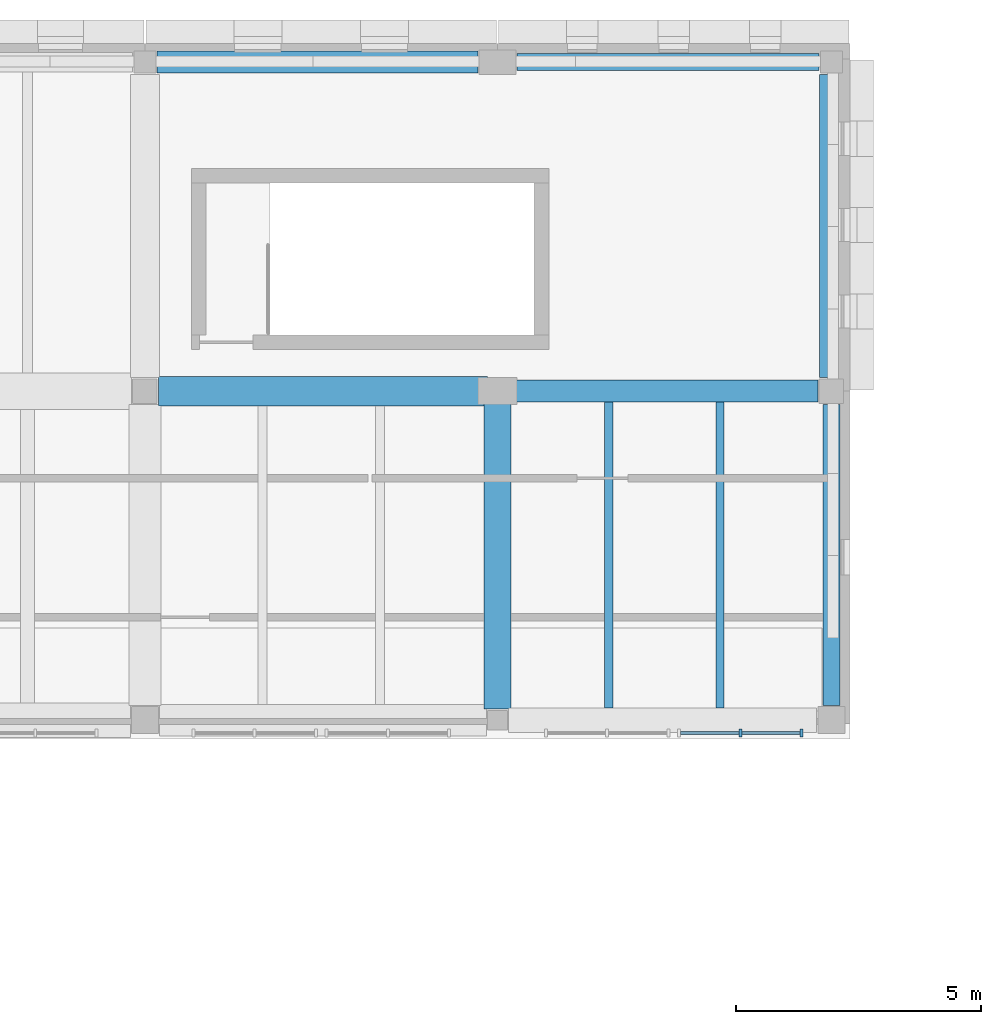
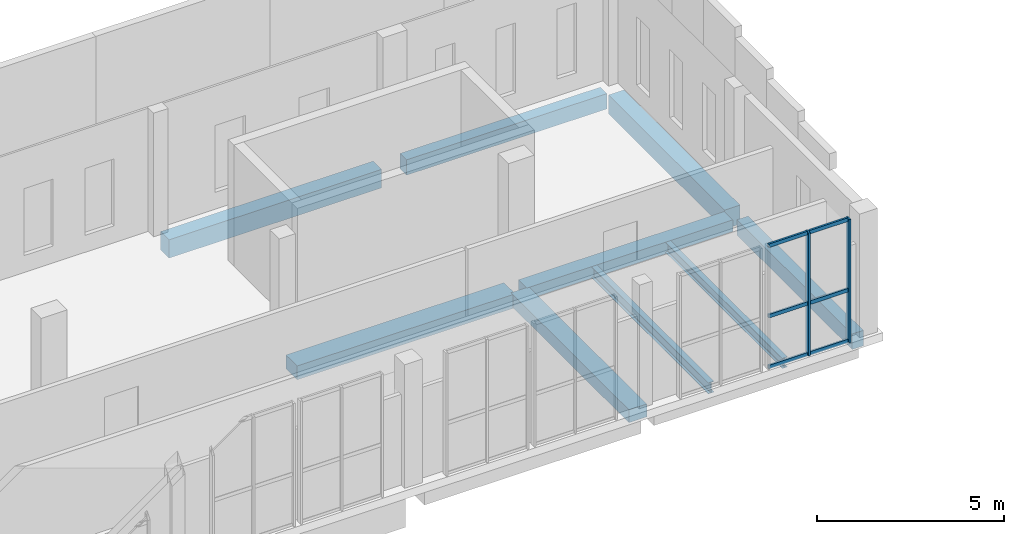
# One storey, part 13 of 34: 9 beams, 8 members, 1 element without a shape of its own.
"""IFC4 building model written with IfcOpenShell, lengths in metres."""

from ifc_helpers import new_model, si_unit, direction, frame, origin, origin_2d, place, context, subcontext, project, spatial, rectangle, i_section, extrude, material, layer, layer_set, material_profile, profile_set, type_object, element, aggregate, save


model = new_model("IFC4")

# Units and contexts
model_context = context("Model", 3, precision=1e-05, world=origin(), true_north=direction((0.0, 1.0)))
body_context = subcontext(model_context, "Body", "Model", "MODEL_VIEW")
ifc_project = project(units=[si_unit("LENGTHUNIT", "METRE"), si_unit("AREAUNIT", "SQUARE_METRE"), si_unit("VOLUMEUNIT", "CUBIC_METRE"), si_unit("PLANEANGLEUNIT", "RADIAN"), si_unit("MASSUNIT", "GRAM", prefix="KILO")], contexts=[model_context])

# Site, building, storey
site_placement = place(None, origin())
site = spatial("IfcSite", under=ifc_project, at=site_placement, CompositionType="ELEMENT")
building_placement = place(site_placement, origin())
building = spatial("IfcBuilding", under=site, at=building_placement, Name="Vardoun Plaza Health Centre", CompositionType="ELEMENT")
storey_placement = place(building_placement, frame((0.0, 0.0, 12.89990234375)))
storey = spatial("IfcBuildingStorey", under=building, at=storey_placement, Name="L03", CompositionType="ELEMENT", Elevation=12.89990234375)

# Beams
ifc_material_1 = material(Name="Concrete C35/45", Category="concrete")
ifc_material_profile_1 = material_profile(ifc_material_1, rectangle(XDim=0.35009765625, YDim=0.5, at=origin_2d()), Name="RC-BM 350x500")
ifc_profile_set_1 = profile_set([ifc_material_profile_1], Name="Concrete C35/45")
beam_type_1 = type_object("IfcBeamType", Name="B-08", PredefinedType="SPANDREL", material=ifc_profile_set_1)
beam_1_placement = place(storey_placement, frame((40.900146484375, 114.919921875, -0.514892578125), z_axis=(1.0, 0.0, 0.0), x_axis=(0.0, 1.0, 0.0)))
element("IfcBeam", 1, at=beam_1_placement, inside=storey, type_object=beam_type_1, Name="V3 L03 Beam B-V3-L03-X24", PredefinedType="SPANDREL", context=body_context, shape_type="SweptSolid", body=[
    extrude(rectangle(XDim=0.35009765625, YDim=0.5, at=origin_2d()), origin(), (0.0, 0.0, 1.0), 6.169921875),
])
beam_2_placement = place(storey_placement, frame((47.320068359375, 101.780029296875, -0.514892578125), z_axis=(0.0, 1.0, 0.0), x_axis=(-1.0, 0.0, 0.0)))
element("IfcBeam", 2, at=beam_2_placement, inside=storey, type_object=beam_type_1, Name="V3 L03 Beam B-V3-L03-Y44", PredefinedType="SPANDREL", context=body_context, shape_type="SweptSolid", body=[
    extrude(rectangle(XDim=0.35009765625, YDim=0.5, at=origin_2d()), origin(), (0.0, 0.0, 1.0), 6.14501953125),
])
ifc_material_2 = material(Name="Concrete C35/45", Category="concrete")
ifc_material_profile_2 = material_profile(ifc_material_2, rectangle(XDim=0.449951171875, YDim=0.3798828125, at=origin_2d()), Name="RC-BM 450x380")
ifc_profile_set_2 = profile_set([ifc_material_profile_2], Name="Concrete C35/45")
beam_type_2 = type_object("IfcBeamType", Name="B-01", PredefinedType="BEAM", material=ifc_profile_set_2)
beam_3_placement = place(storey_placement, frame((40.699951171875, 108.199951171875, -0.454833984375), z_axis=(1.0, 0.0, 0.0), x_axis=(0.0, 1.0, 0.0)))
element("IfcBeam", 3, at=beam_3_placement, inside=storey, type_object=beam_type_2, Name="V3 L03 Beam B-V3-L03-X23", PredefinedType="BEAM", context=body_context, shape_type="SweptSolid", body=[
    extrude(rectangle(XDim=0.449951171875, YDim=0.3798828125, at=origin_2d()), origin(), (0.0, 0.0, 1.0), 6.344970703125),
])
ifc_material_3 = material(Name="Concrete C35/45", Category="concrete")
ifc_material_profile_3 = material_profile(ifc_material_3, rectangle(XDim=0.449951171875, YDim=0.60009765625, at=origin_2d()), Name="RC-BM 450x600")
ifc_profile_set_3 = profile_set([ifc_material_profile_3], Name="Concrete C35/45")
beam_type_3 = type_object("IfcBeamType", Name="B-11", PredefinedType="SPANDREL", material=ifc_profile_set_3)
beam_4_placement = place(storey_placement, frame((33.550048828125, 114.919921875, -0.56494140625), z_axis=(1.0, 0.0, 0.0), x_axis=(0.0, 1.0, 0.0)))
element("IfcBeam", 4, at=beam_4_placement, inside=storey, type_object=beam_type_3, Name="V3 L03 Beam B-V3-L03-X21", PredefinedType="SPANDREL", context=body_context, shape_type="SweptSolid", body=[
    extrude(rectangle(XDim=0.449951171875, YDim=0.60009765625, at=origin_2d()), origin(), (0.0, 0.0, 1.0), 6.550048828125),
])
ifc_material_4 = material(Name="Concrete C35/45", Category="concrete")
ifc_material_profile_4 = material_profile(ifc_material_4, rectangle(XDim=0.47998046875, YDim=0.6201171875, at=origin_2d()), Name="RC-BM 480x620")
ifc_profile_set_4 = profile_set([ifc_material_profile_4], Name="Concrete C35/45")
beam_type_4 = type_object("IfcBeamType", Name="B-12", PredefinedType="SPANDREL", material=ifc_profile_set_4)
beam_5_placement = place(storey_placement, frame((47.320068359375, 108.47509765625, -0.574951171875), z_axis=(0.0, 1.0, 0.0), x_axis=(-1.0, 0.0, 0.0)))
element("IfcBeam", 5, at=beam_5_placement, inside=storey, type_object=beam_type_4, Name="V3 L03 Beam B-V3-L03-Y45", PredefinedType="SPANDREL", context=body_context, shape_type="SweptSolid", body=[
    extrude(rectangle(XDim=0.47998046875, YDim=0.6201171875, at=origin_2d()), origin(), (0.0, 0.0, 1.0), 6.19482421875),
])
ifc_material_5 = material(Name="Concrete C35/45", Category="concrete")
ifc_material_profile_5 = material_profile(ifc_material_5, rectangle(XDim=0.550048828125, YDim=0.419921875, at=origin_2d()), Name="RC-BM 550x420")
ifc_profile_set_5 = profile_set([ifc_material_profile_5], Name="Concrete C35/45")
beam_type_5 = type_object("IfcBeamType", Name="B-03", PredefinedType="BEAM", material=ifc_profile_set_5)
beam_6_placement = place(storey_placement, frame((40.5, 101.705078125, -0.474853515625), z_axis=(0.0, 1.0, 0.0), x_axis=(-1.0, 0.0, 0.0)))
element("IfcBeam", 6, at=beam_6_placement, inside=storey, type_object=beam_type_5, Name="V3 L03 Beam B-V3-L03-Y43", PredefinedType="BEAM", context=body_context, shape_type="SweptSolid", body=[
    extrude(rectangle(XDim=0.550048828125, YDim=0.419921875, at=origin_2d()), origin(), (0.0, 0.0, 1.0), 6.294921875),
])
ifc_material_6 = material(Name="Concrete C35/45", Category="concrete")
ifc_material_profile_6 = material_profile(ifc_material_6, rectangle(XDim=0.60009765625, YDim=0.449951171875, at=origin_2d()), Name="RC-BM 600x450")
ifc_profile_set_6 = profile_set([ifc_material_profile_6], Name="Concrete C35/45")
beam_type_6 = type_object("IfcBeamType", Name="B-04", PredefinedType="BEAM", material=ifc_profile_set_6)
beam_7_placement = place(storey_placement, frame((33.574951171875, 108.199951171875, -0.489990234375), z_axis=(1.0, 0.0, 0.0), x_axis=(0.0, 1.0, 0.0)))
element("IfcBeam", 7, at=beam_7_placement, inside=storey, type_object=beam_type_6, Name="V3 L03 Beam B-V3-L03-X20", PredefinedType="BEAM", context=body_context, shape_type="SweptSolid", body=[
    extrude(rectangle(XDim=0.60009765625, YDim=0.449951171875, at=origin_2d()), origin(), (0.0, 0.0, 1.0), 6.72509765625),
])
ifc_material_7 = material(Name="Steel S355J2", Category="steel")
ifc_material_profile_7 = material_profile(ifc_material_7, i_section(OverallWidth=0.159912109375, OverallDepth=0.330078125, WebThickness=0.007568359375, FlangeThickness=0.011474609375, FilletRadius=0.01806640625, at=origin_2d()), Name="IPE 330")
ifc_profile_set_7 = profile_set([ifc_material_profile_7], Name="Steel S355J2")
beam_type_7 = type_object("IfcBeamType", Name="SB-14", PredefinedType="JOIST", material=ifc_profile_set_7)
beam_8_placement = place(storey_placement, frame((45.046875, 101.72998046875, -0.429931640625), z_axis=(0.0, 1.0, 0.0), x_axis=(-1.0, 0.0, 0.0)))
element("IfcBeam", 8, at=beam_8_placement, inside=storey, type_object=beam_type_7, Name="V3 L03 Secondary Floor Beam SJ-V3-L03-28", PredefinedType="JOIST", context=body_context, shape_type="SweptSolid", body=[
    extrude(i_section(OverallWidth=0.159912109375, OverallDepth=0.330078125, WebThickness=0.007568359375, FlangeThickness=0.011474609375, FilletRadius=0.01806640625, at=origin_2d()), origin(), (0.0, 0.0, 1.0), 6.2451171875),
])
ifc_material_8 = material(Name="Steel S355J2", Category="steel")
ifc_material_profile_8 = material_profile(ifc_material_8, i_section(OverallWidth=0.169921875, OverallDepth=0.360107421875, WebThickness=0.008056640625, FlangeThickness=0.0126953125, FilletRadius=0.01806640625, at=origin_2d()), Name="IPE 360")
ifc_profile_set_8 = profile_set([ifc_material_profile_8], Name="Steel S355J2")
beam_type_8 = type_object("IfcBeamType", Name="SB-13", PredefinedType="JOIST", material=ifc_profile_set_8)
beam_9_placement = place(storey_placement, frame((42.773193359375, 101.72998046875, -0.44482421875), z_axis=(0.0, 1.0, 0.0), x_axis=(-1.0, 0.0, 0.0)))
element("IfcBeam", 9, at=beam_9_placement, inside=storey, type_object=beam_type_8, Name="V3 L03 Secondary Floor Beam SJ-V3-L03-27", PredefinedType="JOIST", context=body_context, shape_type="SweptSolid", body=[
    extrude(i_section(OverallWidth=0.169921875, OverallDepth=0.360107421875, WebThickness=0.008056640625, FlangeThickness=0.0126953125, FilletRadius=0.01806640625, at=origin_2d()), origin(), (0.0, 0.0, 1.0), 6.2451171875),
])

# Curtain wall, members
ifc_material_9 = material(Name="Aluminium Alloy EN AW-6063-T6 and Low-E Glass", Category="aluminium")
ifc_layer = layer(ifc_material_9, 0.159912109375)
ifc_layer_set = layer_set([ifc_layer], Name="Aluminium Alloy EN AW-6063-T6 and Low-E Glass")
curtain_wall_type = type_object("IfcCurtainWallType", Name="CW-02", PredefinedType="USERDEFINED", material=ifc_layer_set)
curtain_wall_placement = place(storey_placement, origin())
curtain_wall = element("IfcCurtainWall", 10, at=curtain_wall_placement, inside=storey, type_object=curtain_wall_type, Name="Curtain Wall CW-V3-087", ObjectType="COURTYARD_CURTAIN_WALL", PredefinedType="USERDEFINED")
ifc_material_10 = material(Name="Aluminium Alloy EN AW-6063-T6", Category="aluminium")
ifc_material_profile_9 = material_profile(ifc_material_10, rectangle(XDim=0.159912109375, YDim=0.06005859375, at=origin_2d()), Name="CWM 60x160")
ifc_profile_set_9 = profile_set([ifc_material_profile_9], Name="Aluminium Alloy EN AW-6063-T6")
member_type_1 = type_object("IfcMemberType", Name="CW-M1", PredefinedType="MULLION", material=ifc_profile_set_9)
member_1_placement = place(storey_placement, frame((46.7099609375, 101.219970703125, 0.0), z_axis=(0.0, 0.0, 1.0), x_axis=(0.0, -1.0, 0.0)))
member_1 = element("IfcMember", 11, at=member_1_placement, type_object=member_type_1, Name="CW-V3-087 mullion 1", PredefinedType="MULLION", context=body_context, shape_type="SweptSolid", body=[
    extrude(rectangle(XDim=0.159912109375, YDim=0.06005859375, at=origin_2d()), origin(), (0.0, 0.0, 1.0), 4.01513671875),
])
member_2_placement = place(storey_placement, frame((45.4599609375, 101.219970703125, 0.0), z_axis=(0.0, 0.0, 1.0), x_axis=(0.0, -1.0, 0.0)))
member_2 = element("IfcMember", 12, at=member_2_placement, type_object=member_type_1, Name="CW-V3-087 mullion 2", PredefinedType="MULLION", context=body_context, shape_type="SweptSolid", body=[
    extrude(rectangle(XDim=0.159912109375, YDim=0.06005859375, at=origin_2d()), origin(), (0.0, 0.0, 1.0), 4.01513671875),
])
ifc_material_11 = material(Name="Aluminium Alloy EN AW-6063-T6", Category="aluminium")
ifc_material_profile_10 = material_profile(ifc_material_11, rectangle(XDim=0.06005859375, YDim=0.1201171875, at=origin_2d()), Name="CWT 60x120")
ifc_profile_set_10 = profile_set([ifc_material_profile_10], Name="Aluminium Alloy EN AW-6063-T6")
member_type_2 = type_object("IfcMemberType", Name="CW-T1", PredefinedType="USERDEFINED", material=ifc_profile_set_10)
member_3_placement = place(storey_placement, frame((46.679931640625, 101.219970703125, 0.030029296875), z_axis=(-1.0, 0.0, 0.0), x_axis=(0.0, -1.0, 0.0)))
member_3 = element("IfcMember", 13, at=member_3_placement, type_object=member_type_2, Name="CW-V3-087 transom 1.1", ObjectType="TRANSOM", PredefinedType="USERDEFINED", context=body_context, shape_type="SweptSolid", body=[
    extrude(rectangle(XDim=0.06005859375, YDim=0.1201171875, at=origin_2d()), origin(), (0.0, 0.0, 1.0), 1.18994140625),
])
member_4_placement = place(storey_placement, frame((46.679931640625, 101.219970703125, 1.686279296875), z_axis=(-1.0, 0.0, 0.0), x_axis=(0.0, -1.0, 0.0)))
member_4 = element("IfcMember", 14, at=member_4_placement, type_object=member_type_2, Name="CW-V3-087 transom 1.2", ObjectType="TRANSOM", PredefinedType="USERDEFINED", context=body_context, shape_type="SweptSolid", body=[
    extrude(rectangle(XDim=0.06005859375, YDim=0.1201171875, at=origin_2d()), origin(), (0.0, 0.0, 1.0), 1.18994140625),
])
member_5_placement = place(storey_placement, frame((46.679931640625, 101.219970703125, 3.985107421875), z_axis=(-1.0, 0.0, 0.0), x_axis=(0.0, -1.0, 0.0)))
member_5 = element("IfcMember", 15, at=member_5_placement, type_object=member_type_2, Name="CW-V3-087 transom 1.3", ObjectType="TRANSOM", PredefinedType="USERDEFINED", context=body_context, shape_type="SweptSolid", body=[
    extrude(rectangle(XDim=0.06005859375, YDim=0.1201171875, at=origin_2d()), origin(), (0.0, 0.0, 1.0), 1.18994140625),
])
member_6_placement = place(storey_placement, frame((45.429931640625, 101.219970703125, 0.030029296875), z_axis=(-1.0, 0.0, 0.0), x_axis=(0.0, -1.0, 0.0)))
member_6 = element("IfcMember", 16, at=member_6_placement, type_object=member_type_2, Name="CW-V3-087 transom 2.1", ObjectType="TRANSOM", PredefinedType="USERDEFINED", context=body_context, shape_type="SweptSolid", body=[
    extrude(rectangle(XDim=0.06005859375, YDim=0.1201171875, at=origin_2d()), origin(), (0.0, 0.0, 1.0), 1.18994140625),
])
member_7_placement = place(storey_placement, frame((45.429931640625, 101.219970703125, 1.686279296875), z_axis=(-1.0, 0.0, 0.0), x_axis=(0.0, -1.0, 0.0)))
member_7 = element("IfcMember", 17, at=member_7_placement, type_object=member_type_2, Name="CW-V3-087 transom 2.2", ObjectType="TRANSOM", PredefinedType="USERDEFINED", context=body_context, shape_type="SweptSolid", body=[
    extrude(rectangle(XDim=0.06005859375, YDim=0.1201171875, at=origin_2d()), origin(), (0.0, 0.0, 1.0), 1.18994140625),
])
member_8_placement = place(storey_placement, frame((45.429931640625, 101.219970703125, 3.985107421875), z_axis=(-1.0, 0.0, 0.0), x_axis=(0.0, -1.0, 0.0)))
member_8 = element("IfcMember", 18, at=member_8_placement, type_object=member_type_2, Name="CW-V3-087 transom 2.3", ObjectType="TRANSOM", PredefinedType="USERDEFINED", context=body_context, shape_type="SweptSolid", body=[
    extrude(rectangle(XDim=0.06005859375, YDim=0.1201171875, at=origin_2d()), origin(), (0.0, 0.0, 1.0), 1.18994140625),
])
aggregate(curtain_wall, [member_1, member_2, member_3, member_4, member_5, member_6, member_7, member_8])

save(model, "model.ifc")
